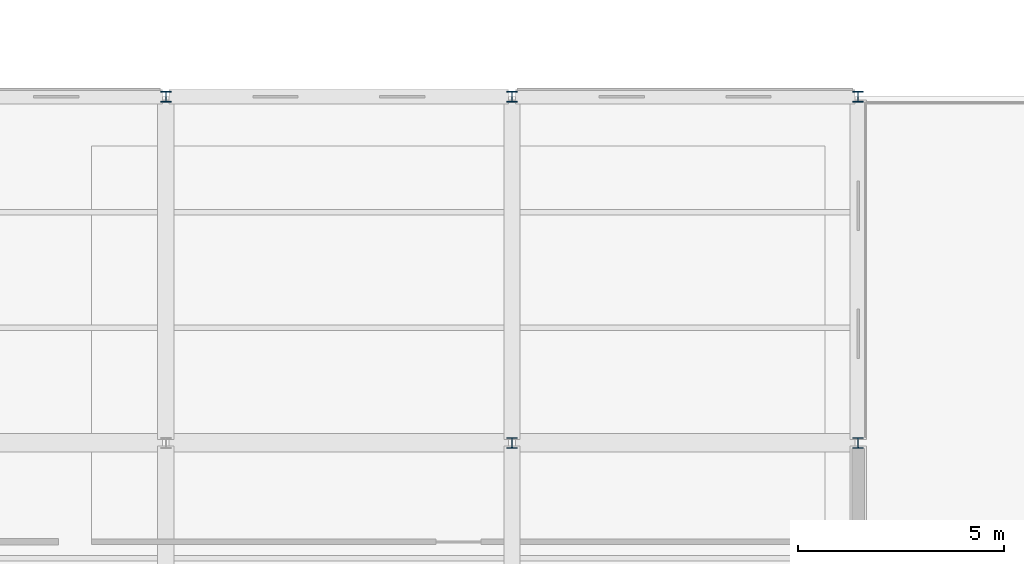
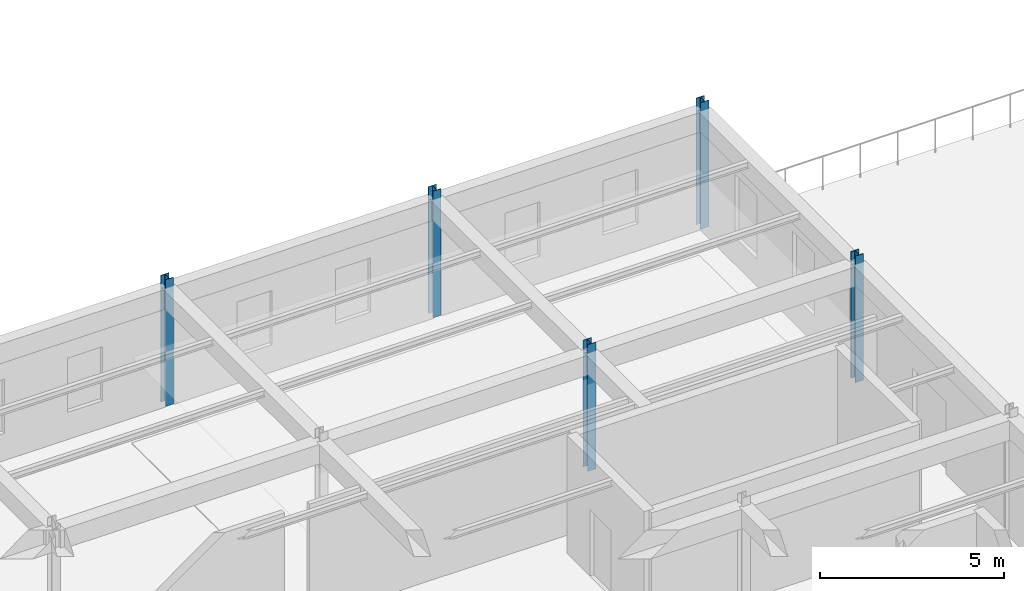
# One storey, part 4 of 83: 5 columns.
"""IFC4 building model written with IfcOpenShell, lengths in metres."""

from ifc_helpers import new_model, si_unit, direction, frame, origin, origin_2d, place, context, subcontext, project, spatial, i_section, extrude, material, material_profile, profile_set, type_object, element, save


model = new_model("IFC4")

# Units and contexts
model_context = context("Model", 3, precision=1e-05, world=origin(), true_north=direction((0.0, 1.0)))
body_context = subcontext(model_context, "Body", "Model", "MODEL_VIEW")
ifc_project = project(units=[si_unit("LENGTHUNIT", "METRE"), si_unit("AREAUNIT", "SQUARE_METRE"), si_unit("VOLUMEUNIT", "CUBIC_METRE"), si_unit("PLANEANGLEUNIT", "RADIAN"), si_unit("MASSUNIT", "GRAM", prefix="KILO"), si_unit("THERMODYNAMICTEMPERATUREUNIT", "KELVIN"), si_unit("POWERUNIT", "WATT")], contexts=[model_context])

# Site, building, storey
site_placement = place(None, origin())
site = spatial("IfcSite", under=ifc_project, at=site_placement, CompositionType="ELEMENT")
building_placement = place(site_placement, origin())
building = spatial("IfcBuilding", under=site, at=building_placement, Name="Darbajah Civic Hall", CompositionType="ELEMENT")
storey_placement = place(building_placement, frame((0.0, 0.0, 18.0)))
storey = spatial("IfcBuildingStorey", under=building, at=storey_placement, Name="L04", CompositionType="ELEMENT", Elevation=18.0)

# Columns
ifc_material = material(Name="Steel S355JR", Category="steel")
ifc_material_profile = material_profile(ifc_material, i_section(OverallWidth=0.25634765625, OverallDepth=0.26025390625, WebThickness=0.01025390625, FlangeThickness=0.017333984375, FilletRadius=0.0126953125, at=origin_2d()), Name="UC 254x254x89")
ifc_profile_set = profile_set([ifc_material_profile], Name="Steel S355JR")
column_type = type_object("IfcColumnType", Name="UC 254x254x89", PredefinedType="COLUMN", material=ifc_profile_set)
for number, where, z_axis, x_axis, name in (
    (1, (33.60009765625, 42.0, 0.0), (0.0, 0.0, 1.0), (1.0, 0.0, 0.0), "L04 column C-UC254"),
    (2, (42.0, 33.60009765625, 0.0), (0.0, 0.0, 1.0), (1.0, 0.0, 0.0), "L04 column C-UC254"),
    (3, (42.0, 42.0, 0.0), (0.0, 0.0, 1.0), (1.0, 0.0, 0.0), "L04 column C-UC254"),
    (4, (50.39990234375, 33.60009765625, 0.0), (0.0, 0.0, 1.0), (1.0, 0.0, 0.0), "L04 column C-UC254"),
    (5, (50.39990234375, 42.0, 0.0), (0.0, 0.0, 1.0), (1.0, 0.0, 0.0), "L04 column C-UC254"),
):
    element("IfcColumn", number, at=place(storey_placement, frame(where, z_axis=z_axis, x_axis=x_axis)), inside=storey, type_object=column_type, Name=name, PredefinedType="COLUMN", context=body_context, shape_type="SweptSolid", body=[
        extrude(i_section(OverallWidth=0.25634765625, OverallDepth=0.26025390625, WebThickness=0.01025390625, FlangeThickness=0.017333984375, FilletRadius=0.0126953125, at=origin_2d()), origin(), (0.0, 0.0, 1.0), 4.199951171875),
    ])

save(model, "model.ifc")
